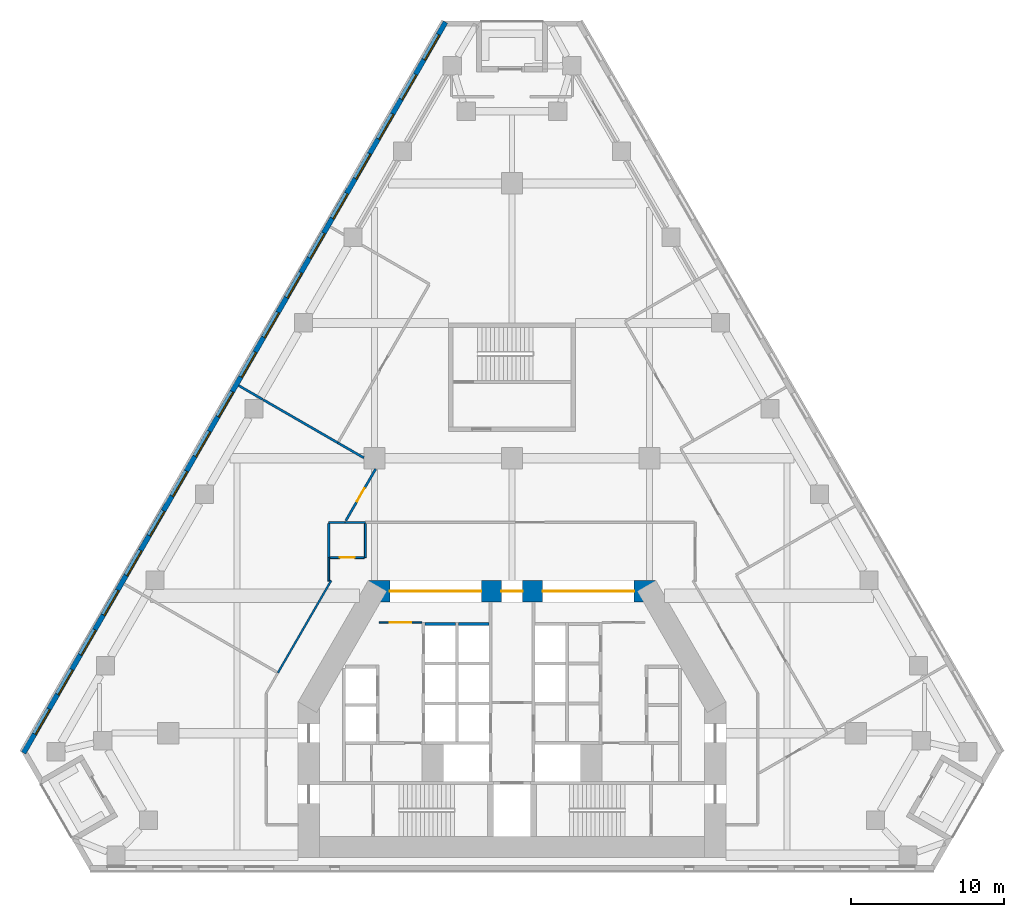
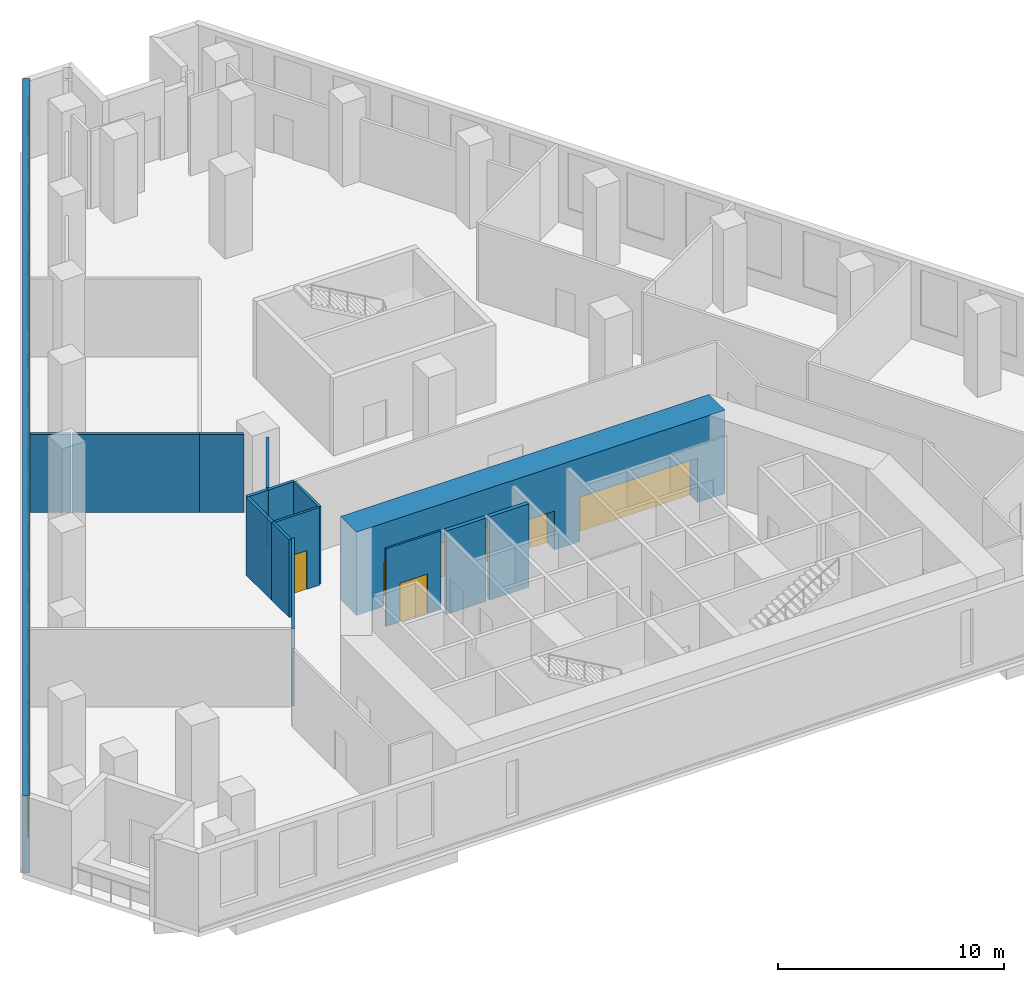
# One storey, part 5 of 10: 18 windows, 16 walls, 6 doors, 24 openings.
"""IFC4 building model written with IfcOpenShell, lengths in metres."""

from ifc_helpers import new_model, si_unit, direction, frame, frame_2d, origin, place, context, subcontext, project, spatial, rectangle, extrude, material, layer, layer_set, type_object, element, fill, save


model = new_model("IFC4")

# Units and contexts
model_context = context("Model", 3, precision=1e-05, world=origin(), true_north=direction((0.0, 1.0)))
body_context = subcontext(model_context, "Body", "Model", "MODEL_VIEW")
ifc_project = project(units=[si_unit("LENGTHUNIT", "METRE"), si_unit("AREAUNIT", "SQUARE_METRE"), si_unit("VOLUMEUNIT", "CUBIC_METRE"), si_unit("PLANEANGLEUNIT", "RADIAN"), si_unit("MASSUNIT", "GRAM", prefix="KILO")], contexts=[model_context])

# Site, building, storey
site_placement = place(None, origin())
site = spatial("IfcSite", under=ifc_project, at=site_placement, CompositionType="ELEMENT")
building_placement = place(site_placement, origin())
building = spatial("IfcBuilding", under=site, at=building_placement, Name="Fogline Exchange Tower", CompositionType="ELEMENT")
storey_placement = place(building_placement, frame((0.0, 0.0, 38.5)))
storey = spatial("IfcBuildingStorey", under=building, at=storey_placement, Name="L07", CompositionType="ELEMENT", Elevation=38.5)

# Wall, opening, door
ifc_material_1 = material(Name="Blockwork partition", Category="masonry")
ifc_layer_1 = layer(ifc_material_1, 0.10009765625)
ifc_layer_set_1 = layer_set([ifc_layer_1], Name="CW10")
wall_type_1 = type_object("IfcWallType", Name="CW10", PredefinedType="PARTITIONING", material=ifc_layer_set_1)
wall_1_placement = place(storey_placement, frame((-8.699951171875, 16.25, 0.0), z_axis=(0.0, 0.0, 1.0), x_axis=(1.0, 0.0, 0.0)))
wall_1 = element("IfcWall", 1, at=wall_1_placement, inside=storey, type_object=wall_type_1, Name="Lift lobby partition", PredefinedType="PARTITIONING", context=body_context, shape_type="SweptSolid", body=[
    extrude(rectangle(XDim=2.800048828125, YDim=0.10009765625, at=frame_2d((1.39990234375, 0.0))), origin(), (0.0, 0.0, 1.0), 4.199951171875),
])
opening_1_placement = place(wall_1_placement, frame((0.699951171875, 0.0, 0.0)))
opening_1 = element("IfcOpeningElement", 2, at=opening_1_placement, cuts=wall_1, Name="Opening T02-C007", PredefinedType="OPENING", context=body_context, shape_type="SweptSolid", body=[
    extrude(rectangle(XDim=1.39990234375, YDim=2.10009765625, at=frame_2d((0.699951171875, 1.050048828125))), frame((0.0, 0.06005859375, 0.0), z_axis=(0.0, -1.0, 0.0), x_axis=(1.0, 0.0, 0.0)), (0.0, 0.0, 1.0), 0.1201171875),
])
ifc_material_2 = material(Name="Steel and timber fire door", Category="steel")
door_type_1 = type_object("IfcDoorType", Name="D-LB1", OperationType="DOUBLE_DOOR_SINGLE_SWING", PredefinedType="DOOR", material=ifc_material_2)
door_1_placement = place(opening_1_placement, origin())
door_1 = element("IfcDoor", 3, at=door_1_placement, inside=storey, type_object=door_type_1, Name="Door to lift lobby", OperationType="DOUBLE_DOOR_SINGLE_SWING", OverallHeight=2.10009765625, OverallWidth=1.39990234375, PredefinedType="DOOR", context=body_context, shape_type="SweptSolid", body=[
    extrude(rectangle(XDim=1.39990234375, YDim=2.10009765625, at=frame_2d((0.699951171875, 1.050048828125))), frame((0.0, 0.02490234375, 0.0), z_axis=(0.0, -1.0, 0.0), x_axis=(1.0, 0.0, 0.0)), (0.0, 0.0, 1.0), 0.050048828125),
])
fill(opening_1, door_1)

# Walls
ifc_material_3 = material(Name="Concrete C40", Category="concrete")
ifc_layer_2 = layer(ifc_material_3, 0.199951171875)
ifc_layer_set_2 = layer_set([ifc_layer_2], Name="CW20S")
wall_type_2 = type_object("IfcWallType", Name="CW20S", PredefinedType="SOLIDWALL", material=ifc_layer_set_2)
for number, where, z_axis, x_axis, name in (
    (4, (-5.699951171875, 16.14990234375, -0.300048828125), (0.0, 0.0, 1.0), (1.0, 0.0, 0.0), "Lift shaft wall"),
    (5, (-3.5, 16.14990234375, -0.300048828125), (0.0, 0.0, 1.0), (1.0, 0.0, 0.0), "Lift shaft wall"),
):
    element("IfcWall", number, at=place(storey_placement, frame(where, z_axis=z_axis, x_axis=x_axis)), inside=storey, type_object=wall_type_2, Name=name, PredefinedType="SOLIDWALL", context=body_context, shape_type="SweptSolid", body=[
        extrude(rectangle(XDim=2.0, YDim=0.199951171875, at=frame_2d((1.0, 0.0))), origin(), (0.0, 0.0, 1.0), 4.5),
    ])

# Wall, openings, windows
ifc_material_4 = material(Name="Brick masonry", Category="masonry")
ifc_layer_3 = layer(ifc_material_4, 0.340087890625)
ifc_layer_set_3 = layer_set([ifc_layer_3], Name="FW1")
wall_type_3 = type_object("IfcWallType", Name="FW1", PredefinedType="SOLIDWALL", material=ifc_layer_set_3)
wall_2_placement = place(storey_placement, frame((-4.352783203125, 55.561767578125, 0.0), z_axis=(0.0, 0.0, 1.0), x_axis=(-0.500000125387, -0.866025331392, 0.0)))
wall_2 = element("IfcWall", 6, at=wall_2_placement, inside=storey, type_object=wall_type_3, Name="Brick wall L07 W", PredefinedType="SOLIDWALL", context=body_context, shape_type="SweptSolid", body=[
    extrude(rectangle(XDim=55.25537109375, YDim=0.340087890625, at=frame_2d((27.627685546875, 0.0))), origin(), (0.0, 0.0, 1.0), 4.199951171875),
])
opening_2_placement = place(wall_2_placement, frame((0.94140625, 0.0, 0.89990234375)))
opening_2 = element("IfcOpeningElement", 7, at=opening_2_placement, cuts=wall_2, Name="Opening W2", PredefinedType="OPENING", context=body_context, shape_type="SweptSolid", body=[
    extrude(rectangle(XDim=1.885009765625, YDim=3.0, at=frame_2d((0.9423828125, 1.5))), frame((0.0, 0.18017578125, 0.0), z_axis=(0.0, -1.0, 0.0), x_axis=(1.0, 0.0, 0.0)), (0.0, 0.0, 1.0), 0.360107421875),
])
opening_3_placement = place(wall_2_placement, frame((3.94140625, 0.0, 0.89990234375)))
opening_3 = element("IfcOpeningElement", 8, at=opening_3_placement, cuts=wall_2, Name="Opening W2", PredefinedType="OPENING", context=body_context, shape_type="SweptSolid", body=[
    extrude(rectangle(XDim=1.885009765625, YDim=3.0, at=frame_2d((0.9423828125, 1.5))), frame((0.0, 0.18017578125, 0.0), z_axis=(0.0, -1.0, 0.0), x_axis=(1.0, 0.0, 0.0)), (0.0, 0.0, 1.0), 0.360107421875),
])
opening_4_placement = place(wall_2_placement, frame((6.94140625, 0.0, 0.89990234375)))
opening_4 = element("IfcOpeningElement", 9, at=opening_4_placement, cuts=wall_2, Name="Opening W2", PredefinedType="OPENING", context=body_context, shape_type="SweptSolid", body=[
    extrude(rectangle(XDim=1.885009765625, YDim=3.0, at=frame_2d((0.9423828125, 1.5))), frame((0.0, 0.18017578125, 0.0), z_axis=(0.0, -1.0, 0.0), x_axis=(1.0, 0.0, 0.0)), (0.0, 0.0, 1.0), 0.360107421875),
])
opening_5_placement = place(wall_2_placement, frame((9.94140625, 0.0, 0.89990234375)))
opening_5 = element("IfcOpeningElement", 10, at=opening_5_placement, cuts=wall_2, Name="Opening W2", PredefinedType="OPENING", context=body_context, shape_type="SweptSolid", body=[
    extrude(rectangle(XDim=1.885009765625, YDim=3.0, at=frame_2d((0.9423828125, 1.5))), frame((0.0, 0.18017578125, 0.0), z_axis=(0.0, -1.0, 0.0), x_axis=(1.0, 0.0, 0.0)), (0.0, 0.0, 1.0), 0.360107421875),
])
opening_6_placement = place(wall_2_placement, frame((12.94140625, 0.0, 0.89990234375)))
opening_6 = element("IfcOpeningElement", 11, at=opening_6_placement, cuts=wall_2, Name="Opening W2", PredefinedType="OPENING", context=body_context, shape_type="SweptSolid", body=[
    extrude(rectangle(XDim=1.885009765625, YDim=3.0, at=frame_2d((0.9423828125, 1.5))), frame((0.0, 0.18017578125, 0.0), z_axis=(0.0, -1.0, 0.0), x_axis=(1.0, 0.0, 0.0)), (0.0, 0.0, 1.0), 0.360107421875),
])
opening_7_placement = place(wall_2_placement, frame((15.94140625, 0.0, 0.89990234375)))
opening_7 = element("IfcOpeningElement", 12, at=opening_7_placement, cuts=wall_2, Name="Opening W2", PredefinedType="OPENING", context=body_context, shape_type="SweptSolid", body=[
    extrude(rectangle(XDim=1.885009765625, YDim=3.0, at=frame_2d((0.9423828125, 1.5))), frame((0.0, 0.18017578125, 0.0), z_axis=(0.0, -1.0, 0.0), x_axis=(1.0, 0.0, 0.0)), (0.0, 0.0, 1.0), 0.360107421875),
])
opening_8_placement = place(wall_2_placement, frame((18.94140625, 0.0, 0.89990234375)))
opening_8 = element("IfcOpeningElement", 13, at=opening_8_placement, cuts=wall_2, Name="Opening W2", PredefinedType="OPENING", context=body_context, shape_type="SweptSolid", body=[
    extrude(rectangle(XDim=1.885009765625, YDim=3.0, at=frame_2d((0.9423828125, 1.5))), frame((0.0, 0.18017578125, 0.0), z_axis=(0.0, -1.0, 0.0), x_axis=(1.0, 0.0, 0.0)), (0.0, 0.0, 1.0), 0.360107421875),
])
opening_9_placement = place(wall_2_placement, frame((21.94140625, 0.0, 0.89990234375)))
opening_9 = element("IfcOpeningElement", 14, at=opening_9_placement, cuts=wall_2, Name="Opening W2", PredefinedType="OPENING", context=body_context, shape_type="SweptSolid", body=[
    extrude(rectangle(XDim=1.885009765625, YDim=3.0, at=frame_2d((0.9423828125, 1.5))), frame((0.0, 0.18017578125, 0.0), z_axis=(0.0, -1.0, 0.0), x_axis=(1.0, 0.0, 0.0)), (0.0, 0.0, 1.0), 0.360107421875),
])
opening_10_placement = place(wall_2_placement, frame((24.94140625, 0.0, 0.89990234375)))
opening_10 = element("IfcOpeningElement", 15, at=opening_10_placement, cuts=wall_2, Name="Opening W2", PredefinedType="OPENING", context=body_context, shape_type="SweptSolid", body=[
    extrude(rectangle(XDim=1.885009765625, YDim=3.0, at=frame_2d((0.9423828125, 1.5))), frame((0.0, 0.18017578125, 0.0), z_axis=(0.0, -1.0, 0.0), x_axis=(1.0, 0.0, 0.0)), (0.0, 0.0, 1.0), 0.360107421875),
])
opening_11_placement = place(wall_2_placement, frame((27.94140625, 0.0, 0.89990234375)))
opening_11 = element("IfcOpeningElement", 16, at=opening_11_placement, cuts=wall_2, Name="Opening W2", PredefinedType="OPENING", context=body_context, shape_type="SweptSolid", body=[
    extrude(rectangle(XDim=1.885009765625, YDim=3.0, at=frame_2d((0.9423828125, 1.5))), frame((0.0, 0.18017578125, 0.0), z_axis=(0.0, -1.0, 0.0), x_axis=(1.0, 0.0, 0.0)), (0.0, 0.0, 1.0), 0.360107421875),
])
opening_12_placement = place(wall_2_placement, frame((30.94140625, 0.0, 0.89990234375)))
opening_12 = element("IfcOpeningElement", 17, at=opening_12_placement, cuts=wall_2, Name="Opening W2", PredefinedType="OPENING", context=body_context, shape_type="SweptSolid", body=[
    extrude(rectangle(XDim=1.885009765625, YDim=3.0, at=frame_2d((0.9423828125, 1.5))), frame((0.0, 0.18017578125, 0.0), z_axis=(0.0, -1.0, 0.0), x_axis=(1.0, 0.0, 0.0)), (0.0, 0.0, 1.0), 0.360107421875),
])
opening_13_placement = place(wall_2_placement, frame((33.94140625, 0.0, 0.89990234375)))
opening_13 = element("IfcOpeningElement", 18, at=opening_13_placement, cuts=wall_2, Name="Opening W2", PredefinedType="OPENING", context=body_context, shape_type="SweptSolid", body=[
    extrude(rectangle(XDim=1.885009765625, YDim=3.0, at=frame_2d((0.9423828125, 1.5))), frame((0.0, 0.18017578125, 0.0), z_axis=(0.0, -1.0, 0.0), x_axis=(1.0, 0.0, 0.0)), (0.0, 0.0, 1.0), 0.360107421875),
])
opening_14_placement = place(wall_2_placement, frame((36.94140625, 0.0, 0.89990234375)))
opening_14 = element("IfcOpeningElement", 19, at=opening_14_placement, cuts=wall_2, Name="Opening W2", PredefinedType="OPENING", context=body_context, shape_type="SweptSolid", body=[
    extrude(rectangle(XDim=1.885009765625, YDim=3.0, at=frame_2d((0.9423828125, 1.5))), frame((0.0, 0.18017578125, 0.0), z_axis=(0.0, -1.0, 0.0), x_axis=(1.0, 0.0, 0.0)), (0.0, 0.0, 1.0), 0.360107421875),
])
opening_15_placement = place(wall_2_placement, frame((39.94140625, 0.0, 0.89990234375)))
opening_15 = element("IfcOpeningElement", 20, at=opening_15_placement, cuts=wall_2, Name="Opening W2", PredefinedType="OPENING", context=body_context, shape_type="SweptSolid", body=[
    extrude(rectangle(XDim=1.885009765625, YDim=3.0, at=frame_2d((0.9423828125, 1.5))), frame((0.0, 0.18017578125, 0.0), z_axis=(0.0, -1.0, 0.0), x_axis=(1.0, 0.0, 0.0)), (0.0, 0.0, 1.0), 0.360107421875),
])
opening_16_placement = place(wall_2_placement, frame((42.94140625, 0.0, 0.89990234375)))
opening_16 = element("IfcOpeningElement", 21, at=opening_16_placement, cuts=wall_2, Name="Opening W2", PredefinedType="OPENING", context=body_context, shape_type="SweptSolid", body=[
    extrude(rectangle(XDim=1.885009765625, YDim=3.0, at=frame_2d((0.9423828125, 1.5))), frame((0.0, 0.18017578125, 0.0), z_axis=(0.0, -1.0, 0.0), x_axis=(1.0, 0.0, 0.0)), (0.0, 0.0, 1.0), 0.360107421875),
])
opening_17_placement = place(wall_2_placement, frame((45.94140625, 0.0, 0.89990234375)))
opening_17 = element("IfcOpeningElement", 22, at=opening_17_placement, cuts=wall_2, Name="Opening W2", PredefinedType="OPENING", context=body_context, shape_type="SweptSolid", body=[
    extrude(rectangle(XDim=1.885009765625, YDim=3.0, at=frame_2d((0.9423828125, 1.5))), frame((0.0, 0.18017578125, 0.0), z_axis=(0.0, -1.0, 0.0), x_axis=(1.0, 0.0, 0.0)), (0.0, 0.0, 1.0), 0.360107421875),
])
opening_18_placement = place(wall_2_placement, frame((48.94140625, 0.0, 0.89990234375)))
opening_18 = element("IfcOpeningElement", 23, at=opening_18_placement, cuts=wall_2, Name="Opening W2", PredefinedType="OPENING", context=body_context, shape_type="SweptSolid", body=[
    extrude(rectangle(XDim=1.885009765625, YDim=3.0, at=frame_2d((0.9423828125, 1.5))), frame((0.0, 0.18017578125, 0.0), z_axis=(0.0, -1.0, 0.0), x_axis=(1.0, 0.0, 0.0)), (0.0, 0.0, 1.0), 0.360107421875),
])
opening_19_placement = place(wall_2_placement, frame((51.94140625, 0.0, 0.89990234375)))
opening_19 = element("IfcOpeningElement", 24, at=opening_19_placement, cuts=wall_2, Name="Opening W2", PredefinedType="OPENING", context=body_context, shape_type="SweptSolid", body=[
    extrude(rectangle(XDim=1.885009765625, YDim=3.0, at=frame_2d((0.9423828125, 1.5))), frame((0.0, 0.18017578125, 0.0), z_axis=(0.0, -1.0, 0.0), x_axis=(1.0, 0.0, 0.0)), (0.0, 0.0, 1.0), 0.360107421875),
])
ifc_material_5 = material(Name="Aluminium and glass", Category="aluminium")
window_type = type_object("IfcWindowType", Name="W2", PartitioningType="SINGLE_PANEL", PredefinedType="WINDOW", material=ifc_material_5)
window_1_placement = place(opening_2_placement, origin())
window_1 = element("IfcWindow", 25, at=window_1_placement, inside=storey, type_object=window_type, Name="W2 W2", OverallHeight=3.0, OverallWidth=1.885009765625, PartitioningType="SINGLE_PANEL", PredefinedType="WINDOW", context=body_context, shape_type="SweptSolid", body=[
    extrude(rectangle(XDim=1.885009765625, YDim=3.0, at=frame_2d((0.9423828125, 1.5))), frame((0.0, 0.110107421875, 0.0), z_axis=(0.0, -1.0, 0.0), x_axis=(1.0, 0.0, 0.0)), (0.0, 0.0, 1.0), 0.06005859375),
])
fill(opening_2, window_1)
window_2_placement = place(opening_3_placement, origin())
window_2 = element("IfcWindow", 26, at=window_2_placement, inside=storey, type_object=window_type, Name="W2 W2", OverallHeight=3.0, OverallWidth=1.885009765625, PartitioningType="SINGLE_PANEL", PredefinedType="WINDOW", context=body_context, shape_type="SweptSolid", body=[
    extrude(rectangle(XDim=1.885009765625, YDim=3.0, at=frame_2d((0.9423828125, 1.5))), frame((0.0, 0.110107421875, 0.0), z_axis=(0.0, -1.0, 0.0), x_axis=(1.0, 0.0, 0.0)), (0.0, 0.0, 1.0), 0.06005859375),
])
fill(opening_3, window_2)
window_3_placement = place(opening_4_placement, origin())
window_3 = element("IfcWindow", 27, at=window_3_placement, inside=storey, type_object=window_type, Name="W2 W2", OverallHeight=3.0, OverallWidth=1.885009765625, PartitioningType="SINGLE_PANEL", PredefinedType="WINDOW", context=body_context, shape_type="SweptSolid", body=[
    extrude(rectangle(XDim=1.885009765625, YDim=3.0, at=frame_2d((0.9423828125, 1.5))), frame((0.0, 0.110107421875, 0.0), z_axis=(0.0, -1.0, 0.0), x_axis=(1.0, 0.0, 0.0)), (0.0, 0.0, 1.0), 0.06005859375),
])
fill(opening_4, window_3)
window_4_placement = place(opening_5_placement, origin())
window_4 = element("IfcWindow", 28, at=window_4_placement, inside=storey, type_object=window_type, Name="W2 W2", OverallHeight=3.0, OverallWidth=1.885009765625, PartitioningType="SINGLE_PANEL", PredefinedType="WINDOW", context=body_context, shape_type="SweptSolid", body=[
    extrude(rectangle(XDim=1.885009765625, YDim=3.0, at=frame_2d((0.9423828125, 1.5))), frame((0.0, 0.110107421875, 0.0), z_axis=(0.0, -1.0, 0.0), x_axis=(1.0, 0.0, 0.0)), (0.0, 0.0, 1.0), 0.06005859375),
])
fill(opening_5, window_4)
window_5_placement = place(opening_6_placement, origin())
window_5 = element("IfcWindow", 29, at=window_5_placement, inside=storey, type_object=window_type, Name="W2 W2", OverallHeight=3.0, OverallWidth=1.885009765625, PartitioningType="SINGLE_PANEL", PredefinedType="WINDOW", context=body_context, shape_type="SweptSolid", body=[
    extrude(rectangle(XDim=1.885009765625, YDim=3.0, at=frame_2d((0.9423828125, 1.5))), frame((0.0, 0.110107421875, 0.0), z_axis=(0.0, -1.0, 0.0), x_axis=(1.0, 0.0, 0.0)), (0.0, 0.0, 1.0), 0.06005859375),
])
fill(opening_6, window_5)
window_6_placement = place(opening_7_placement, origin())
window_6 = element("IfcWindow", 30, at=window_6_placement, inside=storey, type_object=window_type, Name="W2 W2", OverallHeight=3.0, OverallWidth=1.885009765625, PartitioningType="SINGLE_PANEL", PredefinedType="WINDOW", context=body_context, shape_type="SweptSolid", body=[
    extrude(rectangle(XDim=1.885009765625, YDim=3.0, at=frame_2d((0.9423828125, 1.5))), frame((0.0, 0.110107421875, 0.0), z_axis=(0.0, -1.0, 0.0), x_axis=(1.0, 0.0, 0.0)), (0.0, 0.0, 1.0), 0.06005859375),
])
fill(opening_7, window_6)
window_7_placement = place(opening_8_placement, origin())
window_7 = element("IfcWindow", 31, at=window_7_placement, inside=storey, type_object=window_type, Name="W2 W2", OverallHeight=3.0, OverallWidth=1.885009765625, PartitioningType="SINGLE_PANEL", PredefinedType="WINDOW", context=body_context, shape_type="SweptSolid", body=[
    extrude(rectangle(XDim=1.885009765625, YDim=3.0, at=frame_2d((0.9423828125, 1.5))), frame((0.0, 0.110107421875, 0.0), z_axis=(0.0, -1.0, 0.0), x_axis=(1.0, 0.0, 0.0)), (0.0, 0.0, 1.0), 0.06005859375),
])
fill(opening_8, window_7)
window_8_placement = place(opening_9_placement, origin())
window_8 = element("IfcWindow", 32, at=window_8_placement, inside=storey, type_object=window_type, Name="W2 W2", OverallHeight=3.0, OverallWidth=1.885009765625, PartitioningType="SINGLE_PANEL", PredefinedType="WINDOW", context=body_context, shape_type="SweptSolid", body=[
    extrude(rectangle(XDim=1.885009765625, YDim=3.0, at=frame_2d((0.9423828125, 1.5))), frame((0.0, 0.110107421875, 0.0), z_axis=(0.0, -1.0, 0.0), x_axis=(1.0, 0.0, 0.0)), (0.0, 0.0, 1.0), 0.06005859375),
])
fill(opening_9, window_8)
window_9_placement = place(opening_10_placement, origin())
window_9 = element("IfcWindow", 33, at=window_9_placement, inside=storey, type_object=window_type, Name="W2 W2", OverallHeight=3.0, OverallWidth=1.885009765625, PartitioningType="SINGLE_PANEL", PredefinedType="WINDOW", context=body_context, shape_type="SweptSolid", body=[
    extrude(rectangle(XDim=1.885009765625, YDim=3.0, at=frame_2d((0.9423828125, 1.5))), frame((0.0, 0.110107421875, 0.0), z_axis=(0.0, -1.0, 0.0), x_axis=(1.0, 0.0, 0.0)), (0.0, 0.0, 1.0), 0.06005859375),
])
fill(opening_10, window_9)
window_10_placement = place(opening_11_placement, origin())
window_10 = element("IfcWindow", 34, at=window_10_placement, inside=storey, type_object=window_type, Name="W2 W2", OverallHeight=3.0, OverallWidth=1.885009765625, PartitioningType="SINGLE_PANEL", PredefinedType="WINDOW", context=body_context, shape_type="SweptSolid", body=[
    extrude(rectangle(XDim=1.885009765625, YDim=3.0, at=frame_2d((0.9423828125, 1.5))), frame((0.0, 0.110107421875, 0.0), z_axis=(0.0, -1.0, 0.0), x_axis=(1.0, 0.0, 0.0)), (0.0, 0.0, 1.0), 0.06005859375),
])
fill(opening_11, window_10)
window_11_placement = place(opening_12_placement, origin())
window_11 = element("IfcWindow", 35, at=window_11_placement, inside=storey, type_object=window_type, Name="W2 W2", OverallHeight=3.0, OverallWidth=1.885009765625, PartitioningType="SINGLE_PANEL", PredefinedType="WINDOW", context=body_context, shape_type="SweptSolid", body=[
    extrude(rectangle(XDim=1.885009765625, YDim=3.0, at=frame_2d((0.9423828125, 1.5))), frame((0.0, 0.110107421875, 0.0), z_axis=(0.0, -1.0, 0.0), x_axis=(1.0, 0.0, 0.0)), (0.0, 0.0, 1.0), 0.06005859375),
])
fill(opening_12, window_11)
window_12_placement = place(opening_13_placement, origin())
window_12 = element("IfcWindow", 36, at=window_12_placement, inside=storey, type_object=window_type, Name="W2 W2", OverallHeight=3.0, OverallWidth=1.885009765625, PartitioningType="SINGLE_PANEL", PredefinedType="WINDOW", context=body_context, shape_type="SweptSolid", body=[
    extrude(rectangle(XDim=1.885009765625, YDim=3.0, at=frame_2d((0.9423828125, 1.5))), frame((0.0, 0.110107421875, 0.0), z_axis=(0.0, -1.0, 0.0), x_axis=(1.0, 0.0, 0.0)), (0.0, 0.0, 1.0), 0.06005859375),
])
fill(opening_13, window_12)
window_13_placement = place(opening_14_placement, origin())
window_13 = element("IfcWindow", 37, at=window_13_placement, inside=storey, type_object=window_type, Name="W2 W2", OverallHeight=3.0, OverallWidth=1.885009765625, PartitioningType="SINGLE_PANEL", PredefinedType="WINDOW", context=body_context, shape_type="SweptSolid", body=[
    extrude(rectangle(XDim=1.885009765625, YDim=3.0, at=frame_2d((0.9423828125, 1.5))), frame((0.0, 0.110107421875, 0.0), z_axis=(0.0, -1.0, 0.0), x_axis=(1.0, 0.0, 0.0)), (0.0, 0.0, 1.0), 0.06005859375),
])
fill(opening_14, window_13)
window_14_placement = place(opening_15_placement, origin())
window_14 = element("IfcWindow", 38, at=window_14_placement, inside=storey, type_object=window_type, Name="W2 W2", OverallHeight=3.0, OverallWidth=1.885009765625, PartitioningType="SINGLE_PANEL", PredefinedType="WINDOW", context=body_context, shape_type="SweptSolid", body=[
    extrude(rectangle(XDim=1.885009765625, YDim=3.0, at=frame_2d((0.9423828125, 1.5))), frame((0.0, 0.110107421875, 0.0), z_axis=(0.0, -1.0, 0.0), x_axis=(1.0, 0.0, 0.0)), (0.0, 0.0, 1.0), 0.06005859375),
])
fill(opening_15, window_14)
window_15_placement = place(opening_16_placement, origin())
window_15 = element("IfcWindow", 39, at=window_15_placement, inside=storey, type_object=window_type, Name="W2 W2", OverallHeight=3.0, OverallWidth=1.885009765625, PartitioningType="SINGLE_PANEL", PredefinedType="WINDOW", context=body_context, shape_type="SweptSolid", body=[
    extrude(rectangle(XDim=1.885009765625, YDim=3.0, at=frame_2d((0.9423828125, 1.5))), frame((0.0, 0.110107421875, 0.0), z_axis=(0.0, -1.0, 0.0), x_axis=(1.0, 0.0, 0.0)), (0.0, 0.0, 1.0), 0.06005859375),
])
fill(opening_16, window_15)
window_16_placement = place(opening_17_placement, origin())
window_16 = element("IfcWindow", 40, at=window_16_placement, inside=storey, type_object=window_type, Name="W2 W2", OverallHeight=3.0, OverallWidth=1.885009765625, PartitioningType="SINGLE_PANEL", PredefinedType="WINDOW", context=body_context, shape_type="SweptSolid", body=[
    extrude(rectangle(XDim=1.885009765625, YDim=3.0, at=frame_2d((0.9423828125, 1.5))), frame((0.0, 0.110107421875, 0.0), z_axis=(0.0, -1.0, 0.0), x_axis=(1.0, 0.0, 0.0)), (0.0, 0.0, 1.0), 0.06005859375),
])
fill(opening_17, window_16)
window_17_placement = place(opening_18_placement, origin())
window_17 = element("IfcWindow", 41, at=window_17_placement, inside=storey, type_object=window_type, Name="W2 W2", OverallHeight=3.0, OverallWidth=1.885009765625, PartitioningType="SINGLE_PANEL", PredefinedType="WINDOW", context=body_context, shape_type="SweptSolid", body=[
    extrude(rectangle(XDim=1.885009765625, YDim=3.0, at=frame_2d((0.9423828125, 1.5))), frame((0.0, 0.110107421875, 0.0), z_axis=(0.0, -1.0, 0.0), x_axis=(1.0, 0.0, 0.0)), (0.0, 0.0, 1.0), 0.06005859375),
])
fill(opening_18, window_17)
window_18_placement = place(opening_19_placement, origin())
window_18 = element("IfcWindow", 42, at=window_18_placement, inside=storey, type_object=window_type, Name="W2 W2", OverallHeight=3.0, OverallWidth=1.885009765625, PartitioningType="SINGLE_PANEL", PredefinedType="WINDOW", context=body_context, shape_type="SweptSolid", body=[
    extrude(rectangle(XDim=1.885009765625, YDim=3.0, at=frame_2d((0.9423828125, 1.5))), frame((0.0, 0.110107421875, 0.0), z_axis=(0.0, -1.0, 0.0), x_axis=(1.0, 0.0, 0.0)), (0.0, 0.0, 1.0), 0.06005859375),
])
fill(opening_19, window_18)

# Wall
ifc_material_6 = material(Name="Plasterboard corridor partition with mineral wool, 2 layers each side")
ifc_layer_4 = layer(ifc_material_6, 0.125)
ifc_layer_set_4 = layer_set([ifc_layer_4], Name="PW2")
wall_type_4 = type_object("IfcWallType", Name="PW2", PredefinedType="PARTITIONING", material=ifc_layer_set_4)
wall_3_placement = place(storey_placement, frame((-12.0, 18.94921875, 0.0), z_axis=(0.0, 0.0, 1.0), x_axis=(0.0, 1.0, 0.0)))
element("IfcWall", 43, at=wall_3_placement, inside=storey, type_object=wall_type_4, Name="wall-L07-W007", PredefinedType="PARTITIONING", context=body_context, shape_type="SweptSolid", body=[
    extrude(rectangle(XDim=1.55078125, YDim=0.125, at=frame_2d((0.775390625, 0.0))), origin(), (0.0, 0.0, 1.0), 4.199951171875),
])

# Wall, opening, door
wall_4_placement = place(storey_placement, frame((-11.925048828125, 20.5, 0.0), z_axis=(0.0, 0.0, 1.0), x_axis=(1.0, 0.0, 0.0)))
wall_4 = element("IfcWall", 44, at=wall_4_placement, inside=storey, type_object=wall_type_4, Name="wall-L07-W008", PredefinedType="PARTITIONING", context=body_context, shape_type="SweptSolid", body=[
    extrude(rectangle(XDim=2.262451171875, YDim=0.125, at=frame_2d((1.13134765625, 0.0))), origin(), (0.0, 0.0, 1.0), 4.199951171875),
])
opening_20_placement = place(wall_4_placement, frame((0.63134765625, 0.0, 0.0)))
opening_20 = element("IfcOpeningElement", 45, at=opening_20_placement, cuts=wall_4, Name="Opening T02-D004", PredefinedType="OPENING", context=body_context, shape_type="SweptSolid", body=[
    extrude(rectangle(XDim=1.0, YDim=2.10009765625, at=frame_2d((0.5, 1.050048828125))), frame((0.0, 0.072509765625, 0.0), z_axis=(0.0, -1.0, 0.0), x_axis=(1.0, 0.0, 0.0)), (0.0, 0.0, 1.0), 0.14501953125),
])
ifc_material_7 = material(Name="Fire-rated timber door leaf with steel frame", Category="steel")
door_type_2 = type_object("IfcDoorType", Name="D3", OperationType="SINGLE_SWING_LEFT", PredefinedType="DOOR", material=ifc_material_7)
door_2_placement = place(opening_20_placement, origin())
door_2 = element("IfcDoor", 46, at=door_2_placement, inside=storey, type_object=door_type_2, Name="door-L07-D004", OperationType="SINGLE_SWING_LEFT", OverallHeight=2.10009765625, OverallWidth=1.0, PredefinedType="DOOR", context=body_context, shape_type="SweptSolid", body=[
    extrude(rectangle(XDim=1.0, YDim=2.10009765625, at=frame_2d((0.5, 1.050048828125))), frame((0.0, 0.02490234375, 0.0), z_axis=(0.0, -1.0, 0.0), x_axis=(1.0, 0.0, 0.0)), (0.0, 0.0, 1.0), 0.050048828125),
])
fill(opening_20, door_2)

# Walls
wall_5_placement = place(storey_placement, frame((-9.60009765625, 20.5, 0.0), z_axis=(0.0, 0.0, 1.0), x_axis=(0.0, 1.0, 0.0)))
element("IfcWall", 47, at=wall_5_placement, inside=storey, type_object=wall_type_4, Name="wall-L07-W009", PredefinedType="PARTITIONING", context=body_context, shape_type="SweptSolid", body=[
    extrude(rectangle(XDim=2.224609375, YDim=0.125, at=frame_2d((1.1123046875, 0.0))), origin(), (0.0, 0.0, 1.0), 4.199951171875),
])
wall_6_placement = place(storey_placement, frame((-15.32568359375, 12.956298828125, 0.0), z_axis=(0.0, 0.0, 1.0), x_axis=(0.499991973402, 0.866030037893, 0.0)))
element("IfcWall", 48, at=wall_6_placement, inside=storey, type_object=wall_type_4, Name="wall-L07-W010", PredefinedType="PARTITIONING", context=body_context, shape_type="SweptSolid", body=[
    extrude(rectangle(XDim=6.978515625, YDim=0.125, at=frame_2d((3.4892578125, 0.0))), origin(), (0.0, 0.0, 1.0), 4.199951171875),
])

# Wall, opening, door
ifc_material_8 = material(Name="Plasterboard demising partition with mineral wool and acoustic board")
ifc_layer_5 = layer(ifc_material_8, 0.14990234375)
ifc_layer_set_5 = layer_set([ifc_layer_5], Name="PW3")
wall_type_5 = type_object("IfcWallType", Name="PW3", PredefinedType="PARTITIONING", material=ifc_layer_set_5)
wall_7_placement = place(storey_placement, frame((-10.8818359375, 22.912841796875, 0.0), z_axis=(0.0, 0.0, 1.0), x_axis=(0.499992620187, 0.866029664479, 0.0)))
wall_7 = element("IfcWall", 49, at=wall_7_placement, inside=storey, type_object=wall_type_5, Name="wall-L07-W033", PredefinedType="PARTITIONING", context=body_context, shape_type="SweptSolid", body=[
    extrude(rectangle(XDim=3.9111328125, YDim=0.14990234375, at=frame_2d((1.95556640625, 0.0))), origin(), (0.0, 0.0, 1.0), 4.199951171875),
])
opening_21_placement = place(wall_7_placement, frame((1.45556640625, 0.0, 0.0)))
opening_21 = element("IfcOpeningElement", 50, at=opening_21_placement, cuts=wall_7, Name="Opening T02-D010", PredefinedType="OPENING", context=body_context, shape_type="SweptSolid", body=[
    extrude(rectangle(XDim=1.0, YDim=2.10009765625, at=frame_2d((0.5, 1.050048828125))), frame((0.0, 0.0849609375, 0.0), z_axis=(0.0, -1.0, 0.0), x_axis=(1.0, 0.0, 0.0)), (0.0, 0.0, 1.0), 0.169921875),
])
door_3_placement = place(opening_21_placement, origin())
door_3 = element("IfcDoor", 51, at=door_3_placement, inside=storey, type_object=door_type_2, Name="door-L07-D010", OperationType="SINGLE_SWING_RIGHT", OverallHeight=2.10009765625, OverallWidth=1.0, PredefinedType="DOOR", context=body_context, shape_type="SweptSolid", body=[
    extrude(rectangle(XDim=1.0, YDim=2.10009765625, at=frame_2d((0.5, 1.050048828125))), frame((0.0, 0.02490234375, 0.0), z_axis=(0.0, -1.0, 0.0), x_axis=(1.0, 0.0, 0.0)), (0.0, 0.0, 1.0), 0.050048828125),
])
fill(opening_21, door_3)

# Walls
wall_8_placement = place(storey_placement, frame((-9.699951171875, 27.02880859375, 0.0), z_axis=(0.0, 0.0, 1.0), x_axis=(-0.866071836663, 0.499919567269, 0.0)))
element("IfcWall", 52, at=wall_8_placement, inside=storey, type_object=wall_type_5, Name="wall-L07-W034", PredefinedType="PARTITIONING", context=body_context, shape_type="SweptSolid", body=[
    extrude(rectangle(XDim=1.965576171875, YDim=0.14990234375, at=frame_2d((0.98291015625, 0.0))), origin(), (0.0, 0.0, 1.0), 4.199951171875),
])
wall_9_placement = place(storey_placement, frame((-9.60009765625, 22.800048828125, 0.0), z_axis=(0.0, 0.0, 1.0), x_axis=(-1.0, 0.0, 0.0)))
element("IfcWall", 53, at=wall_9_placement, inside=storey, type_object=wall_type_5, Name="wall-L07-W035", PredefinedType="PARTITIONING", context=body_context, shape_type="SweptSolid", body=[
    extrude(rectangle(XDim=1.346923828125, YDim=0.14990234375, at=frame_2d((0.67333984375, 0.0))), origin(), (0.0, 0.0, 1.0), 4.199951171875),
])
wall_10_placement = place(storey_placement, frame((-11.40234375, 28.011474609375, 0.0), z_axis=(0.0, 0.0, 1.0), x_axis=(-0.866022037983, 0.500005829693, 0.0)))
element("IfcWall", 54, at=wall_10_placement, inside=storey, type_object=wall_type_5, Name="wall-L07-W040", PredefinedType="PARTITIONING", context=body_context, shape_type="SweptSolid", body=[
    extrude(rectangle(XDim=5.64306640625, YDim=0.14990234375, at=frame_2d((2.821533203125, 0.0))), origin(), (0.0, 0.0, 1.0), 4.199951171875),
])
wall_11_placement = place(storey_placement, frame((-16.32373046875, 30.852783203125, 0.0), z_axis=(0.0, 0.0, 1.0), x_axis=(-0.866002123639, 0.500040320227, 0.0)))
element("IfcWall", 55, at=wall_11_placement, inside=storey, type_object=wall_type_5, Name="wall-L07-W041", PredefinedType="PARTITIONING", context=body_context, shape_type="SweptSolid", body=[
    extrude(rectangle(XDim=1.817138671875, YDim=0.14990234375, at=frame_2d((0.90869140625, 0.0))), origin(), (0.0, 0.0, 1.0), 4.199951171875),
])
wall_12_placement = place(storey_placement, frame((-10.947021484375, 22.800048828125, 0.0), z_axis=(0.0, 0.0, 1.0), x_axis=(-1.0, 0.0, 0.0)))
element("IfcWall", 56, at=wall_12_placement, inside=storey, type_object=wall_type_5, Name="wall-L07-W042", PredefinedType="PARTITIONING", context=body_context, shape_type="SweptSolid", body=[
    extrude(rectangle(XDim=1.052978515625, YDim=0.14990234375, at=frame_2d((0.5263671875, 0.0))), origin(), (0.0, 0.0, 1.0), 4.199951171875),
])
wall_13_placement = place(storey_placement, frame((-12.0, 22.72509765625, 0.0), z_axis=(0.0, 0.0, 1.0), x_axis=(0.0, -1.0, 0.0)))
element("IfcWall", 57, at=wall_13_placement, inside=storey, type_object=wall_type_5, Name="wall-L07-W043", PredefinedType="PARTITIONING", context=body_context, shape_type="SweptSolid", body=[
    extrude(rectangle(XDim=2.22509765625, YDim=0.14990234375, at=frame_2d((1.112548828125, 0.0))), origin(), (0.0, 0.0, 1.0), 4.199951171875),
])

# Wall, openings, doors
ifc_material_9 = material(Name="Concrete C60", Category="concrete")
ifc_layer_6 = layer(ifc_material_9, 1.39990234375)
ifc_layer_set_6 = layer_set([ifc_layer_6], Name="SW01")
wall_type_6 = type_object("IfcWallType", Name="SW01", PredefinedType="SHEAR", material=ifc_layer_set_6)
wall_14_placement = place(storey_placement, frame((9.41162109375, 18.300048828125, 0.0), z_axis=(0.0, 0.0, 1.0), x_axis=(-1.0, 0.0, 0.0)))
wall_14 = element("IfcWall", 58, at=wall_14_placement, inside=storey, type_object=wall_type_6, Name="L07-W904", PredefinedType="SHEAR", context=body_context, shape_type="SweptSolid", body=[
    extrude(rectangle(XDim=18.8232421875, YDim=1.39990234375, at=frame_2d((9.41162109375, 0.0))), origin(), (0.0, 0.0, 1.0), 4.5),
])
opening_22_placement = place(wall_14_placement, frame((8.71142578125, 0.0, 0.0)))
opening_22 = element("IfcOpeningElement", 59, at=opening_22_placement, cuts=wall_14, Name="Opening T02-C020", PredefinedType="OPENING", context=body_context, shape_type="SweptSolid", body=[
    extrude(rectangle(XDim=1.39990234375, YDim=2.10009765625, at=frame_2d((0.699951171875, 1.050048828125))), frame((0.0, 0.7099609375, 0.0), z_axis=(0.0, -1.0, 0.0), x_axis=(1.0, 0.0, 0.0)), (0.0, 0.0, 1.0), 1.419921875),
])
opening_23_placement = place(wall_14_placement, frame((11.41162109375, 0.0, 0.0)))
opening_23 = element("IfcOpeningElement", 60, at=opening_23_placement, cuts=wall_14, Name="Opening T02-C021", PredefinedType="OPENING", context=body_context, shape_type="SweptSolid", body=[
    extrude(rectangle(XDim=6.0, YDim=2.39990234375, at=frame_2d((3.0, 1.199951171875))), frame((0.0, 0.7099609375, 0.0), z_axis=(0.0, -1.0, 0.0), x_axis=(1.0, 0.0, 0.0)), (0.0, 0.0, 1.0), 1.419921875),
])
opening_24_placement = place(wall_14_placement, frame((1.41162109375, 0.0, 0.0)))
opening_24 = element("IfcOpeningElement", 61, at=opening_24_placement, cuts=wall_14, Name="Opening T02-C022", PredefinedType="OPENING", context=body_context, shape_type="SweptSolid", body=[
    extrude(rectangle(XDim=6.0, YDim=2.39990234375, at=frame_2d((3.0, 1.199951171875))), frame((0.0, 0.7099609375, 0.0), z_axis=(0.0, -1.0, 0.0), x_axis=(1.0, 0.0, 0.0)), (0.0, 0.0, 1.0), 1.419921875),
])
door_4_placement = place(opening_22_placement, origin())
door_4 = element("IfcDoor", 62, at=door_4_placement, inside=storey, type_object=door_type_1, Name="Protected lobby door", OperationType="DOUBLE_DOOR_SINGLE_SWING", OverallHeight=2.10009765625, OverallWidth=1.39990234375, PredefinedType="DOOR", context=body_context, shape_type="SweptSolid", body=[
    extrude(rectangle(XDim=1.39990234375, YDim=2.10009765625, at=frame_2d((0.699951171875, 1.050048828125))), frame((0.0, 0.02490234375, 0.0), z_axis=(0.0, -1.0, 0.0), x_axis=(1.0, 0.0, 0.0)), (0.0, 0.0, 1.0), 0.050048828125),
])
fill(opening_22, door_4)
door_type_3 = type_object("IfcDoorType", Name="D-LE1", OperationType="DOUBLE_DOOR_SLIDING", PredefinedType="DOOR", material=ifc_material_2)
door_5_placement = place(opening_23_placement, origin())
door_5 = element("IfcDoor", 63, at=door_5_placement, inside=storey, type_object=door_type_3, Name="Lift lobby entrance west", OperationType="DOUBLE_DOOR_SLIDING", OverallHeight=2.39990234375, OverallWidth=6.0, PredefinedType="DOOR", context=body_context, shape_type="SweptSolid", body=[
    extrude(rectangle(XDim=6.0, YDim=2.39990234375, at=frame_2d((3.0, 1.199951171875))), frame((0.0, 0.02490234375, 0.0), z_axis=(0.0, -1.0, 0.0), x_axis=(1.0, 0.0, 0.0)), (0.0, 0.0, 1.0), 0.050048828125),
])
fill(opening_23, door_5)
door_6_placement = place(opening_24_placement, origin())
door_6 = element("IfcDoor", 64, at=door_6_placement, inside=storey, type_object=door_type_3, Name="Lift lobby entrance east", OperationType="DOUBLE_DOOR_SLIDING", OverallHeight=2.39990234375, OverallWidth=6.0, PredefinedType="DOOR", context=body_context, shape_type="SweptSolid", body=[
    extrude(rectangle(XDim=6.0, YDim=2.39990234375, at=frame_2d((3.0, 1.199951171875))), frame((0.0, 0.02490234375, 0.0), z_axis=(0.0, -1.0, 0.0), x_axis=(1.0, 0.0, 0.0)), (0.0, 0.0, 1.0), 0.050048828125),
])
fill(opening_24, door_6)

save(model, "model.ifc")
